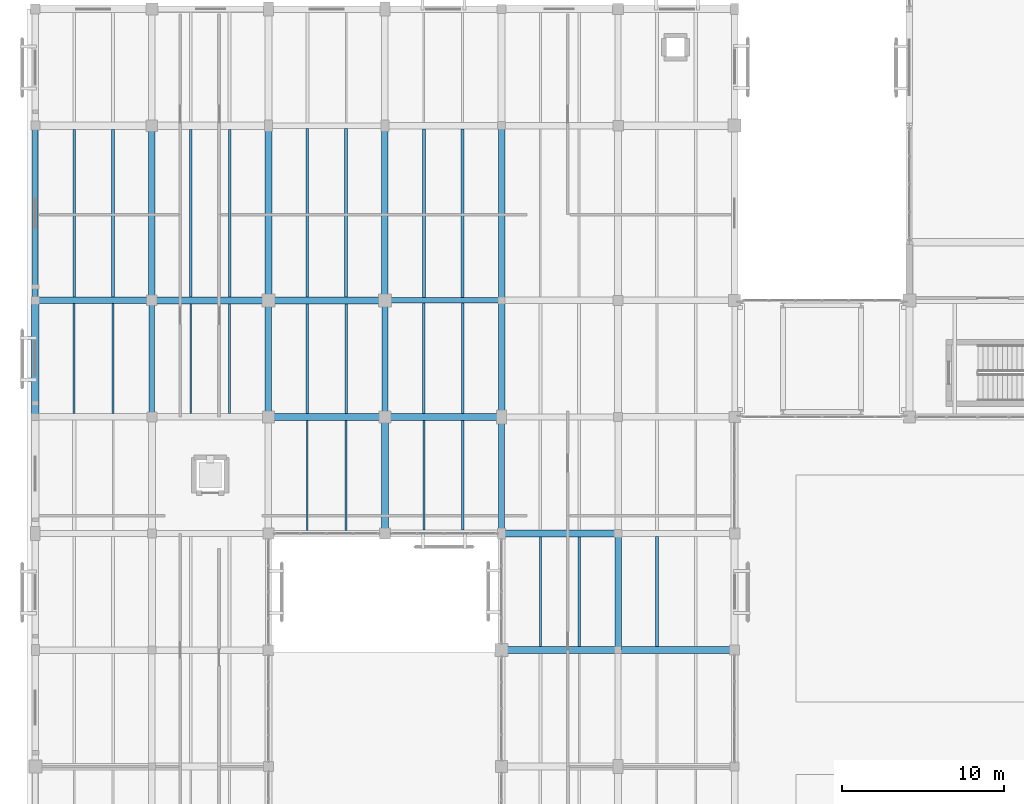
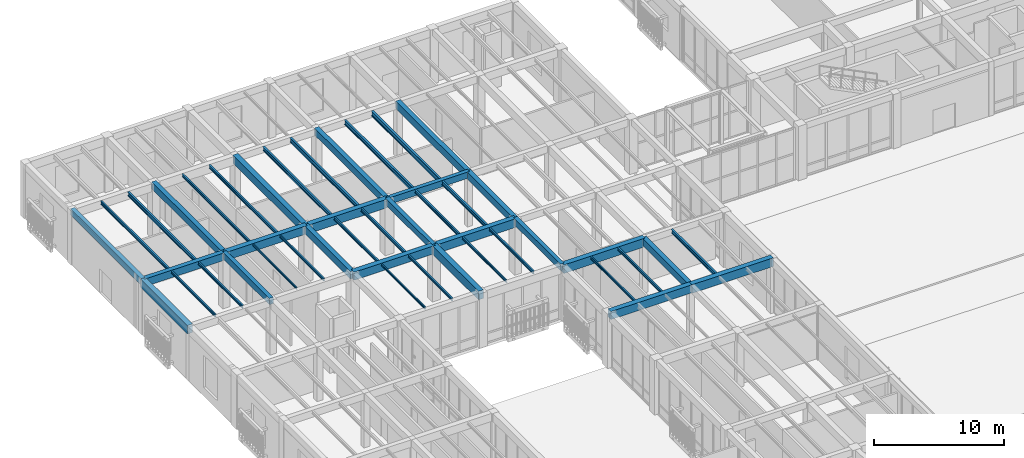
# One storey, part 59 of 169: 45 beams.
"""IFC4 building model written with IfcOpenShell, lengths in metres."""

from ifc_helpers import new_model, si_unit, direction, frame, origin, origin_2d, place, context, subcontext, project, spatial, rectangle, i_section, extrude, material, material_profile, profile_set, type_object, element, save


model = new_model("IFC4")

# Units and contexts
model_context = context("Model", 3, precision=1e-05, world=origin(), true_north=direction((0.0, 1.0)))
body_context = subcontext(model_context, "Body", "Model", "MODEL_VIEW")
ifc_project = project(units=[si_unit("LENGTHUNIT", "METRE"), si_unit("AREAUNIT", "SQUARE_METRE"), si_unit("VOLUMEUNIT", "CUBIC_METRE"), si_unit("PLANEANGLEUNIT", "RADIAN"), si_unit("MASSUNIT", "GRAM", prefix="KILO")], contexts=[model_context])

# Site, building, storey
site_placement = place(None, origin())
site = spatial("IfcSite", under=ifc_project, at=site_placement, CompositionType="ELEMENT")
building_placement = place(site_placement, origin())
building = spatial("IfcBuilding", under=site, at=building_placement, Name="Mazaris Harbour Polytechnic", CompositionType="ELEMENT")
storey_placement = place(building_placement, origin())
storey = spatial("IfcBuildingStorey", under=building, at=storey_placement, Name="L00", CompositionType="ELEMENT", Elevation=0.0)

# Beams
ifc_material_1 = material(Name="Concrete C35/45", Category="concrete")
ifc_material_profile_1 = material_profile(ifc_material_1, rectangle(XDim=0.35009765625, YDim=0.60009765625, at=origin_2d()), Name="RECT350x600")
ifc_profile_set_1 = profile_set([ifc_material_profile_1], Name="Concrete C35/45")
beam_type_1 = type_object("IfcBeamType", Name="RC Girder 350x600", PredefinedType="BEAM", material=ifc_profile_set_1)
for number, where, z_axis, x_axis, name in (
    (1, (21.60009765625, 82.800048828125, 4.800048828125), (1.0, 0.0, 0.0), (0.0, 1.0, 0.0), "V4 L00 Girder 1410"),
    (2, (7.199951171875, 75.60009765625, 4.800048828125), (0.0, 1.0, 0.0), (-1.0, 0.0, 0.0), "V4 L00 Tie Girder 1445"),
    (3, (21.60009765625, 75.60009765625, 4.800048828125), (0.0, 1.0, 0.0), (-1.0, 0.0, 0.0), "V4 L00 Tie Girder 1465"),
):
    element("IfcBeam", number, at=place(storey_placement, frame(where, z_axis=z_axis, x_axis=x_axis)), inside=storey, type_object=beam_type_1, Name=name, PredefinedType="BEAM", context=body_context, shape_type="SweptSolid", body=[
        extrude(rectangle(XDim=0.35009765625, YDim=0.60009765625, at=origin_2d()), origin(), (0.0, 0.0, 1.0), 7.199951171875),
    ])
beam_1_placement = place(storey_placement, frame((28.800048828125, 68.39990234375, 4.800048828125), z_axis=(0.0, 1.0, 0.0), x_axis=(-1.0, 0.0, 0.0)))
element("IfcBeam", 4, at=beam_1_placement, inside=storey, type_object=beam_type_1, Name="V4 L00 Tie Girder 1475", PredefinedType="BEAM", context=body_context, shape_type="SweptSolid", body=[
    extrude(rectangle(XDim=0.35009765625, YDim=0.60009765625, at=origin_2d()), origin(), (0.0, 0.0, 1.0), 7.2001953125),
])
ifc_material_2 = material(Name="Concrete C35/45", Category="concrete")
ifc_material_profile_2 = material_profile(ifc_material_2, rectangle(XDim=0.35009765625, YDim=0.60009765625, at=origin_2d()), Name="RECT350x600")
ifc_profile_set_2 = profile_set([ifc_material_profile_2], Name="Concrete C35/45")
beam_type_2 = type_object("IfcBeamType", Name="RC Girder 350x600 Exterior", PredefinedType="BEAM", material=ifc_profile_set_2)
beam_2_placement = place(storey_placement, frame((0.0, 82.800048828125, 4.800048828125), z_axis=(0.0, 1.0, 0.0), x_axis=(-1.0, 0.0, 0.0)))
element("IfcBeam", 5, at=beam_2_placement, inside=storey, type_object=beam_type_2, Name="V4 L00 Tie Girder 1435", PredefinedType="BEAM", context=body_context, shape_type="SweptSolid", body=[
    extrude(rectangle(XDim=0.35009765625, YDim=0.60009765625, at=origin_2d()), origin(), (0.0, 0.0, 1.0), 10.800048828125),
])
ifc_material_3 = material(Name="Concrete C35/45", Category="concrete")
ifc_material_profile_3 = material_profile(ifc_material_3, rectangle(XDim=0.39990234375, YDim=0.64990234375, at=origin_2d()), Name="RECT400x650")
ifc_profile_set_3 = profile_set([ifc_material_profile_3], Name="Concrete C35/45")
beam_type_3 = type_object("IfcBeamType", Name="RC Girder 400x650", PredefinedType="BEAM", material=ifc_profile_set_3)
for number, where, z_axis, x_axis, name in (
    (6, (7.199951171875, 82.800048828125, 4.77490234375), (0.0, 1.0, 0.0), (-1.0, 0.0, 0.0), "V4 L00 Tie Girder 1446"),
    (7, (21.60009765625, 82.800048828125, 4.77490234375), (0.0, 1.0, 0.0), (-1.0, 0.0, 0.0), "V4 L00 Tie Girder 1466"),
):
    element("IfcBeam", number, at=place(storey_placement, frame(where, z_axis=z_axis, x_axis=x_axis)), inside=storey, type_object=beam_type_3, Name=name, PredefinedType="BEAM", context=body_context, shape_type="SweptSolid", body=[
        extrude(rectangle(XDim=0.39990234375, YDim=0.64990234375, at=origin_2d()), origin(), (0.0, 0.0, 1.0), 10.800048828125),
    ])
for number, where, z_axis, x_axis, name in (
    (8, (28.800048828125, 75.60009765625, 4.77490234375), (0.0, 1.0, 0.0), (-1.0, 0.0, 0.0), "V4 L00 Tie Girder 1476"),
    (9, (36.0, 61.199951171875, 4.77490234375), (0.0, 1.0, 0.0), (-1.0, 0.0, 0.0), "V4 L00 Tie Girder 1486"),
):
    element("IfcBeam", number, at=place(storey_placement, frame(where, z_axis=z_axis, x_axis=x_axis)), inside=storey, type_object=beam_type_3, Name=name, PredefinedType="BEAM", context=body_context, shape_type="SweptSolid", body=[
        extrude(rectangle(XDim=0.39990234375, YDim=0.64990234375, at=origin_2d()), origin(), (0.0, 0.0, 1.0), 7.199951171875),
    ])
ifc_material_4 = material(Name="Concrete C35/45", Category="concrete")
ifc_material_profile_4 = material_profile(ifc_material_4, rectangle(XDim=0.39990234375, YDim=0.699951171875, at=origin_2d()), Name="RECT400x700")
ifc_profile_set_4 = profile_set([ifc_material_profile_4], Name="Concrete C35/45")
beam_type_4 = type_object("IfcBeamType", Name="RC Girder 400x700", PredefinedType="BEAM", material=ifc_profile_set_4)
for number, where, z_axis, x_axis, name in (
    (10, (0.0, 82.800048828125, 4.75), (1.0, 0.0, 0.0), (0.0, 1.0, 0.0), "V4 L00 Girder 1407"),
    (11, (14.39990234375, 75.60009765625, 4.75), (0.0, 1.0, 0.0), (-1.0, 0.0, 0.0), "V4 L00 Tie Girder 1457"),
):
    element("IfcBeam", number, at=place(storey_placement, frame(where, z_axis=z_axis, x_axis=x_axis)), inside=storey, type_object=beam_type_4, Name=name, PredefinedType="BEAM", context=body_context, shape_type="SweptSolid", body=[
        extrude(rectangle(XDim=0.39990234375, YDim=0.699951171875, at=origin_2d()), origin(), (0.0, 0.0, 1.0), 7.199951171875),
    ])
beam_3_placement = place(storey_placement, frame((28.800048828125, 82.800048828125, 4.75), z_axis=(0.0, 1.0, 0.0), x_axis=(-1.0, 0.0, 0.0)))
element("IfcBeam", 12, at=beam_3_placement, inside=storey, type_object=beam_type_4, Name="V4 L00 Tie Girder 1477", PredefinedType="BEAM", context=body_context, shape_type="SweptSolid", body=[
    extrude(rectangle(XDim=0.39990234375, YDim=0.699951171875, at=origin_2d()), origin(), (0.0, 0.0, 1.0), 10.800048828125),
])
ifc_material_5 = material(Name="Concrete C40/50", Category="concrete")
ifc_material_profile_5 = material_profile(ifc_material_5, rectangle(XDim=0.449951171875, YDim=0.75, at=origin_2d()), Name="RECT450x750")
ifc_profile_set_5 = profile_set([ifc_material_profile_5], Name="Concrete C40/50")
beam_type_5 = type_object("IfcBeamType", Name="RC Girder 450x750", PredefinedType="BEAM", material=ifc_profile_set_5)
beam_4_placement = place(storey_placement, frame((28.800048828125, 61.199951171875, 4.72509765625), z_axis=(1.0, 0.0, 0.0), x_axis=(0.0, 1.0, 0.0)))
element("IfcBeam", 13, at=beam_4_placement, inside=storey, type_object=beam_type_5, Name="V4 L00 Girder 1393", PredefinedType="BEAM", context=body_context, shape_type="SweptSolid", body=[
    extrude(rectangle(XDim=0.449951171875, YDim=0.75, at=origin_2d()), origin(), (0.0, 0.0, 1.0), 7.199951171875),
])
beam_5_placement = place(storey_placement, frame((14.39990234375, 75.60009765625, 4.72509765625), z_axis=(1.0, 0.0, 0.0), x_axis=(0.0, 1.0, 0.0)))
element("IfcBeam", 14, at=beam_5_placement, inside=storey, type_object=beam_type_5, Name="V4 L00 Girder 1403", PredefinedType="BEAM", context=body_context, shape_type="SweptSolid", body=[
    extrude(rectangle(XDim=0.449951171875, YDim=0.75, at=origin_2d()), origin(), (0.0, 0.0, 1.0), 7.2001953125),
])
beam_6_placement = place(storey_placement, frame((7.199951171875, 82.800048828125, 4.72509765625), z_axis=(1.0, 0.0, 0.0), x_axis=(0.0, 1.0, 0.0)))
element("IfcBeam", 15, at=beam_6_placement, inside=storey, type_object=beam_type_5, Name="V4 L00 Girder 1408", PredefinedType="BEAM", context=body_context, shape_type="SweptSolid", body=[
    extrude(rectangle(XDim=0.449951171875, YDim=0.75, at=origin_2d()), origin(), (0.0, 0.0, 1.0), 7.199951171875),
])
beam_7_placement = place(storey_placement, frame((14.39990234375, 82.800048828125, 4.72509765625), z_axis=(0.0, 1.0, 0.0), x_axis=(-1.0, 0.0, 0.0)))
element("IfcBeam", 16, at=beam_7_placement, inside=storey, type_object=beam_type_5, Name="V4 L00 Tie Girder 1458", PredefinedType="BEAM", context=body_context, shape_type="SweptSolid", body=[
    extrude(rectangle(XDim=0.449951171875, YDim=0.75, at=origin_2d()), origin(), (0.0, 0.0, 1.0), 10.800048828125),
])
ifc_material_6 = material(Name="Concrete C40/50", Category="concrete")
ifc_material_profile_6 = material_profile(ifc_material_6, rectangle(XDim=0.449951171875, YDim=0.800048828125, at=origin_2d()), Name="RECT450x800")
ifc_profile_set_6 = profile_set([ifc_material_profile_6], Name="Concrete C40/50")
beam_type_6 = type_object("IfcBeamType", Name="RC Girder 450x800", PredefinedType="BEAM", material=ifc_profile_set_6)
for number, where, z_axis, x_axis, name in (
    (17, (36.0, 61.199951171875, 4.699951171875), (1.0, 0.0, 0.0), (0.0, 1.0, 0.0), "V4 L00 Girder 1394"),
    (18, (28.800048828125, 68.39990234375, 4.699951171875), (1.0, 0.0, 0.0), (0.0, 1.0, 0.0), "V4 L00 Girder 1399"),
    (19, (21.60009765625, 75.60009765625, 4.699951171875), (1.0, 0.0, 0.0), (0.0, 1.0, 0.0), "V4 L00 Girder 1404"),
):
    element("IfcBeam", number, at=place(storey_placement, frame(where, z_axis=z_axis, x_axis=x_axis)), inside=storey, type_object=beam_type_6, Name=name, PredefinedType="BEAM", context=body_context, shape_type="SweptSolid", body=[
        extrude(rectangle(XDim=0.449951171875, YDim=0.800048828125, at=origin_2d()), origin(), (0.0, 0.0, 1.0), 7.199951171875),
    ])
for number, where, z_axis, x_axis, name in (
    (20, (14.39990234375, 82.800048828125, 4.699951171875), (1.0, 0.0, 0.0), (0.0, 1.0, 0.0), "V4 L00 Girder 1409"),
    (21, (21.60009765625, 68.39990234375, 4.699951171875), (0.0, 1.0, 0.0), (-1.0, 0.0, 0.0), "V4 L00 Tie Girder 1464"),
):
    element("IfcBeam", number, at=place(storey_placement, frame(where, z_axis=z_axis, x_axis=x_axis)), inside=storey, type_object=beam_type_6, Name=name, PredefinedType="BEAM", context=body_context, shape_type="SweptSolid", body=[
        extrude(rectangle(XDim=0.449951171875, YDim=0.800048828125, at=origin_2d()), origin(), (0.0, 0.0, 1.0), 7.2001953125),
    ])
ifc_material_7 = material(Name="Concrete C40/50", Category="concrete")
ifc_material_profile_7 = material_profile(ifc_material_7, rectangle(XDim=0.449951171875, YDim=0.800048828125, at=origin_2d()), Name="RECT450x800")
ifc_profile_set_7 = profile_set([ifc_material_profile_7], Name="Concrete C40/50")
beam_type_7 = type_object("IfcBeamType", Name="RC Girder 450x800 Exterior", PredefinedType="BEAM", material=ifc_profile_set_7)
beam_8_placement = place(storey_placement, frame((0.0, 75.60009765625, 4.699951171875), z_axis=(0.0, 1.0, 0.0), x_axis=(-1.0, 0.0, 0.0)))
element("IfcBeam", 22, at=beam_8_placement, inside=storey, type_object=beam_type_7, Name="V4 L00 Tie Girder 1434", PredefinedType="BEAM", context=body_context, shape_type="SweptSolid", body=[
    extrude(rectangle(XDim=0.449951171875, YDim=0.800048828125, at=origin_2d()), origin(), (0.0, 0.0, 1.0), 7.199951171875),
])
ifc_material_8 = material(Name="Steel S355", Category="steel")
ifc_material_profile_8 = material_profile(ifc_material_8, i_section(OverallWidth=0.10009765625, OverallDepth=0.199951171875, WebThickness=0.005615234375, FlangeThickness=0.008544921875, FilletRadius=0.011962890625, at=origin_2d()), Name="IPE 200")
ifc_profile_set_8 = profile_set([ifc_material_profile_8], Name="Steel S355")
beam_type_8 = type_object("IfcBeamType", Name="Steel Joist IPE200", PredefinedType="JOIST", material=ifc_profile_set_8)
for number, where, z_axis, x_axis, name in (
    (23, (9.60009765625, 75.800048828125, 5.0), (0.0, 1.0, 0.0), (-1.0, 0.0, 0.0), "V4 L00 Floor Joist 1540"),
    (24, (16.800048828125, 68.60009765625, 5.0), (0.0, 1.0, 0.0), (-1.0, 0.0, 0.0), "V4 L00 Floor Joist 1554"),
):
    element("IfcBeam", number, at=place(storey_placement, frame(where, z_axis=z_axis, x_axis=x_axis)), inside=storey, type_object=beam_type_8, Name=name, PredefinedType="JOIST", context=body_context, shape_type="SweptSolid", body=[
        extrude(i_section(OverallWidth=0.10009765625, OverallDepth=0.199951171875, WebThickness=0.005615234375, FlangeThickness=0.008544921875, FilletRadius=0.011962890625, at=origin_2d()), origin(), (0.0, 0.0, 1.0), 6.77490234375),
    ])
ifc_material_9 = material(Name="Steel S355", Category="steel")
ifc_material_profile_9 = material_profile(ifc_material_9, i_section(OverallWidth=0.1201171875, OverallDepth=0.239990234375, WebThickness=0.006103515625, FlangeThickness=0.009765625, FilletRadius=0.014892578125, at=origin_2d()), Name="IPE 240")
ifc_profile_set_9 = profile_set([ifc_material_profile_9], Name="Steel S355")
beam_type_9 = type_object("IfcBeamType", Name="Steel Joist IPE240", PredefinedType="JOIST", material=ifc_profile_set_9)
beam_9_placement = place(storey_placement, frame((2.39990234375, 75.800048828125, 4.97998046875), z_axis=(0.0, 1.0, 0.0), x_axis=(-1.0, 0.0, 0.0)))
element("IfcBeam", 25, at=beam_9_placement, inside=storey, type_object=beam_type_9, Name="V4 L00 Floor Joist 1520", PredefinedType="JOIST", context=body_context, shape_type="SweptSolid", body=[
    extrude(i_section(OverallWidth=0.1201171875, OverallDepth=0.239990234375, WebThickness=0.006103515625, FlangeThickness=0.009765625, FilletRadius=0.014892578125, at=origin_2d()), origin(), (0.0, 0.0, 1.0), 6.800048828125),
])
for number, where, z_axis, x_axis, name in (
    (26, (12.0, 75.800048828125, 4.97998046875), (0.0, 1.0, 0.0), (-1.0, 0.0, 0.0), "V4 L00 Floor Joist 1541"),
    (27, (19.199951171875, 68.60009765625, 4.97998046875), (0.0, 1.0, 0.0), (-1.0, 0.0, 0.0), "V4 L00 Floor Joist 1555"),
):
    element("IfcBeam", number, at=place(storey_placement, frame(where, z_axis=z_axis, x_axis=x_axis)), inside=storey, type_object=beam_type_9, Name=name, PredefinedType="JOIST", context=body_context, shape_type="SweptSolid", body=[
        extrude(i_section(OverallWidth=0.1201171875, OverallDepth=0.239990234375, WebThickness=0.006103515625, FlangeThickness=0.009765625, FilletRadius=0.014892578125, at=origin_2d()), origin(), (0.0, 0.0, 1.0), 6.77490234375),
    ])
for number, where, z_axis, x_axis, name in (
    (28, (24.0, 68.625, 4.97998046875), (0.0, 1.0, 0.0), (-1.0, 0.0, 0.0), "V4 L00 Floor Joist 1569"),
    (29, (31.199951171875, 61.425048828125, 4.97998046875), (0.0, 1.0, 0.0), (-1.0, 0.0, 0.0), "V4 L00 Floor Joist 1590"),
):
    element("IfcBeam", number, at=place(storey_placement, frame(where, z_axis=z_axis, x_axis=x_axis)), inside=storey, type_object=beam_type_9, Name=name, PredefinedType="JOIST", context=body_context, shape_type="SweptSolid", body=[
        extrude(i_section(OverallWidth=0.1201171875, OverallDepth=0.239990234375, WebThickness=0.006103515625, FlangeThickness=0.009765625, FilletRadius=0.014892578125, at=origin_2d()), origin(), (0.0, 0.0, 1.0), 6.75),
    ])
ifc_material_10 = material(Name="Steel S355", Category="steel")
ifc_material_profile_10 = material_profile(ifc_material_10, i_section(OverallWidth=0.135009765625, OverallDepth=0.27001953125, WebThickness=0.006591796875, FlangeThickness=0.01025390625, FilletRadius=0.014892578125, at=origin_2d()), Name="IPE 270")
ifc_profile_set_10 = profile_set([ifc_material_profile_10], Name="Steel S355")
beam_type_10 = type_object("IfcBeamType", Name="Steel Joist IPE270", PredefinedType="JOIST", material=ifc_profile_set_10)
beam_10_placement = place(storey_placement, frame((4.800048828125, 75.800048828125, 4.965087890625), z_axis=(0.0, 1.0, 0.0), x_axis=(-1.0, 0.0, 0.0)))
element("IfcBeam", 30, at=beam_10_placement, inside=storey, type_object=beam_type_10, Name="V4 L00 Floor Joist 1521", PredefinedType="JOIST", context=body_context, shape_type="SweptSolid", body=[
    extrude(i_section(OverallWidth=0.135009765625, OverallDepth=0.27001953125, WebThickness=0.006591796875, FlangeThickness=0.01025390625, FilletRadius=0.014892578125, at=origin_2d()), origin(), (0.0, 0.0, 1.0), 6.800048828125),
])
beam_11_placement = place(storey_placement, frame((9.60009765625, 83.02490234375, 4.965087890625), z_axis=(0.0, 1.0, 0.0), x_axis=(-1.0, 0.0, 0.0)))
element("IfcBeam", 31, at=beam_11_placement, inside=storey, type_object=beam_type_10, Name="V4 L00 Floor Joist 1542", PredefinedType="JOIST", context=body_context, shape_type="SweptSolid", body=[
    extrude(i_section(OverallWidth=0.135009765625, OverallDepth=0.27001953125, WebThickness=0.006591796875, FlangeThickness=0.01025390625, FilletRadius=0.014892578125, at=origin_2d()), origin(), (0.0, 0.0, 1.0), 10.35009765625),
])
for number, where, z_axis, x_axis, name in (
    (32, (16.800048828125, 75.824951171875, 4.965087890625), (0.0, 1.0, 0.0), (-1.0, 0.0, 0.0), "V4 L00 Floor Joist 1556"),
    (33, (26.39990234375, 68.625, 4.965087890625), (0.0, 1.0, 0.0), (-1.0, 0.0, 0.0), "V4 L00 Floor Joist 1570"),
    (34, (33.60009765625, 61.425048828125, 4.965087890625), (0.0, 1.0, 0.0), (-1.0, 0.0, 0.0), "V4 L00 Floor Joist 1591"),
):
    element("IfcBeam", number, at=place(storey_placement, frame(where, z_axis=z_axis, x_axis=x_axis)), inside=storey, type_object=beam_type_10, Name=name, PredefinedType="JOIST", context=body_context, shape_type="SweptSolid", body=[
        extrude(i_section(OverallWidth=0.135009765625, OverallDepth=0.27001953125, WebThickness=0.006591796875, FlangeThickness=0.01025390625, FilletRadius=0.014892578125, at=origin_2d()), origin(), (0.0, 0.0, 1.0), 6.75),
    ])
ifc_material_11 = material(Name="Steel S355", Category="steel")
ifc_material_profile_11 = material_profile(ifc_material_11, i_section(OverallWidth=0.14990234375, OverallDepth=0.300048828125, WebThickness=0.007080078125, FlangeThickness=0.0107421875, FilletRadius=0.014892578125, at=origin_2d()), Name="IPE 300")
ifc_profile_set_11 = profile_set([ifc_material_profile_11], Name="Steel S355")
beam_type_11 = type_object("IfcBeamType", Name="Steel Joist IPE300", PredefinedType="JOIST", material=ifc_profile_set_11)
beam_12_placement = place(storey_placement, frame((2.39990234375, 83.0, 4.949951171875), z_axis=(0.0, 1.0, 0.0), x_axis=(-1.0, 0.0, 0.0)))
element("IfcBeam", 35, at=beam_12_placement, inside=storey, type_object=beam_type_11, Name="V4 L00 Floor Joist 1522", PredefinedType="JOIST", context=body_context, shape_type="SweptSolid", body=[
    extrude(i_section(OverallWidth=0.14990234375, OverallDepth=0.300048828125, WebThickness=0.007080078125, FlangeThickness=0.0107421875, FilletRadius=0.014892578125, at=origin_2d()), origin(), (0.0, 0.0, 1.0), 10.375),
])
beam_13_placement = place(storey_placement, frame((12.0, 83.02490234375, 4.949951171875), z_axis=(0.0, 1.0, 0.0), x_axis=(-1.0, 0.0, 0.0)))
element("IfcBeam", 36, at=beam_13_placement, inside=storey, type_object=beam_type_11, Name="V4 L00 Floor Joist 1543", PredefinedType="JOIST", context=body_context, shape_type="SweptSolid", body=[
    extrude(i_section(OverallWidth=0.14990234375, OverallDepth=0.300048828125, WebThickness=0.007080078125, FlangeThickness=0.0107421875, FilletRadius=0.014892578125, at=origin_2d()), origin(), (0.0, 0.0, 1.0), 10.35009765625),
])
beam_14_placement = place(storey_placement, frame((19.199951171875, 75.824951171875, 4.949951171875), z_axis=(0.0, 1.0, 0.0), x_axis=(-1.0, 0.0, 0.0)))
element("IfcBeam", 37, at=beam_14_placement, inside=storey, type_object=beam_type_11, Name="V4 L00 Floor Joist 1557", PredefinedType="JOIST", context=body_context, shape_type="SweptSolid", body=[
    extrude(i_section(OverallWidth=0.14990234375, OverallDepth=0.300048828125, WebThickness=0.007080078125, FlangeThickness=0.0107421875, FilletRadius=0.014892578125, at=origin_2d()), origin(), (0.0, 0.0, 1.0), 6.75),
])
beam_15_placement = place(storey_placement, frame((24.0, 75.824951171875, 4.949951171875), z_axis=(0.0, 1.0, 0.0), x_axis=(-1.0, 0.0, 0.0)))
element("IfcBeam", 38, at=beam_15_placement, inside=storey, type_object=beam_type_11, Name="V4 L00 Floor Joist 1571", PredefinedType="JOIST", context=body_context, shape_type="SweptSolid", body=[
    extrude(i_section(OverallWidth=0.14990234375, OverallDepth=0.300048828125, WebThickness=0.007080078125, FlangeThickness=0.0107421875, FilletRadius=0.014892578125, at=origin_2d()), origin(), (0.0, 0.0, 1.0), 6.800048828125),
])
ifc_material_12 = material(Name="Steel S355", Category="steel")
ifc_material_profile_12 = material_profile(ifc_material_12, i_section(OverallWidth=0.169921875, OverallDepth=0.360107421875, WebThickness=0.008056640625, FlangeThickness=0.0126953125, FilletRadius=0.01806640625, at=origin_2d()), Name="IPE 360")
ifc_profile_set_12 = profile_set([ifc_material_profile_12], Name="Steel S355")
beam_type_12 = type_object("IfcBeamType", Name="Steel Joist IPE360", PredefinedType="JOIST", material=ifc_profile_set_12)
beam_16_placement = place(storey_placement, frame((4.800048828125, 83.0, 4.919921875), z_axis=(0.0, 1.0, 0.0), x_axis=(-1.0, 0.0, 0.0)))
element("IfcBeam", 39, at=beam_16_placement, inside=storey, type_object=beam_type_12, Name="V4 L00 Floor Joist 1523", PredefinedType="JOIST", context=body_context, shape_type="SweptSolid", body=[
    extrude(i_section(OverallWidth=0.169921875, OverallDepth=0.360107421875, WebThickness=0.008056640625, FlangeThickness=0.0126953125, FilletRadius=0.01806640625, at=origin_2d()), origin(), (0.0, 0.0, 1.0), 10.375),
])
beam_17_placement = place(storey_placement, frame((16.800048828125, 83.02490234375, 4.919921875), z_axis=(0.0, 1.0, 0.0), x_axis=(-1.0, 0.0, 0.0)))
element("IfcBeam", 40, at=beam_17_placement, inside=storey, type_object=beam_type_12, Name="V4 L00 Floor Joist 1558", PredefinedType="JOIST", context=body_context, shape_type="SweptSolid", body=[
    extrude(i_section(OverallWidth=0.169921875, OverallDepth=0.360107421875, WebThickness=0.008056640625, FlangeThickness=0.0126953125, FilletRadius=0.01806640625, at=origin_2d()), origin(), (0.0, 0.0, 1.0), 10.400146484375),
])
for number, where, z_axis, x_axis, name in (
    (41, (26.39990234375, 75.824951171875, 4.919921875), (0.0, 1.0, 0.0), (-1.0, 0.0, 0.0), "V4 L00 Floor Joist 1572"),
    (42, (38.39990234375, 61.425048828125, 4.919921875), (0.0, 1.0, 0.0), (-1.0, 0.0, 0.0), "V4 L00 Floor Joist 1614"),
):
    element("IfcBeam", number, at=place(storey_placement, frame(where, z_axis=z_axis, x_axis=x_axis)), inside=storey, type_object=beam_type_12, Name=name, PredefinedType="JOIST", context=body_context, shape_type="SweptSolid", body=[
        extrude(i_section(OverallWidth=0.169921875, OverallDepth=0.360107421875, WebThickness=0.008056640625, FlangeThickness=0.0126953125, FilletRadius=0.01806640625, at=origin_2d()), origin(), (0.0, 0.0, 1.0), 6.800048828125),
    ])
ifc_material_13 = material(Name="Steel S355", Category="steel")
ifc_material_profile_13 = material_profile(ifc_material_13, i_section(OverallWidth=0.179931640625, OverallDepth=0.39990234375, WebThickness=0.008544921875, FlangeThickness=0.013427734375, FilletRadius=0.02099609375, at=origin_2d()), Name="IPE 400")
ifc_profile_set_13 = profile_set([ifc_material_profile_13], Name="Steel S355")
beam_type_13 = type_object("IfcBeamType", Name="Steel Joist IPE400", PredefinedType="JOIST", material=ifc_profile_set_13)
beam_18_placement = place(storey_placement, frame((19.199951171875, 83.02490234375, 4.89990234375), z_axis=(0.0, 1.0, 0.0), x_axis=(-1.0, 0.0, 0.0)))
element("IfcBeam", 43, at=beam_18_placement, inside=storey, type_object=beam_type_13, Name="V4 L00 Floor Joist 1559", PredefinedType="JOIST", context=body_context, shape_type="SweptSolid", body=[
    extrude(i_section(OverallWidth=0.179931640625, OverallDepth=0.39990234375, WebThickness=0.008544921875, FlangeThickness=0.013427734375, FilletRadius=0.02099609375, at=origin_2d()), origin(), (0.0, 0.0, 1.0), 10.400146484375),
])
beam_19_placement = place(storey_placement, frame((24.0, 82.97509765625, 4.89990234375), z_axis=(0.0, 1.0, 0.0), x_axis=(-1.0, 0.0, 0.0)))
element("IfcBeam", 44, at=beam_19_placement, inside=storey, type_object=beam_type_13, Name="V4 L00 Floor Joist 1573", PredefinedType="JOIST", context=body_context, shape_type="SweptSolid", body=[
    extrude(i_section(OverallWidth=0.179931640625, OverallDepth=0.39990234375, WebThickness=0.008544921875, FlangeThickness=0.013427734375, FilletRadius=0.02099609375, at=origin_2d()), origin(), (0.0, 0.0, 1.0), 10.4248046875),
])
ifc_material_14 = material(Name="Steel S355", Category="steel")
ifc_material_profile_14 = material_profile(ifc_material_14, i_section(OverallWidth=0.18994140625, OverallDepth=0.449951171875, WebThickness=0.009521484375, FlangeThickness=0.0146484375, FilletRadius=0.02099609375, at=origin_2d()), Name="IPE 450")
ifc_profile_set_14 = profile_set([ifc_material_profile_14], Name="Steel S355")
beam_type_14 = type_object("IfcBeamType", Name="Steel Joist IPE450", PredefinedType="JOIST", material=ifc_profile_set_14)
beam_20_placement = place(storey_placement, frame((26.39990234375, 82.97509765625, 4.875), z_axis=(0.0, 1.0, 0.0), x_axis=(-1.0, 0.0, 0.0)))
element("IfcBeam", 45, at=beam_20_placement, inside=storey, type_object=beam_type_14, Name="V4 L00 Floor Joist 1574", PredefinedType="JOIST", context=body_context, shape_type="SweptSolid", body=[
    extrude(i_section(OverallWidth=0.18994140625, OverallDepth=0.449951171875, WebThickness=0.009521484375, FlangeThickness=0.0146484375, FilletRadius=0.02099609375, at=origin_2d()), origin(), (0.0, 0.0, 1.0), 10.4248046875),
])

save(model, "model.ifc")
